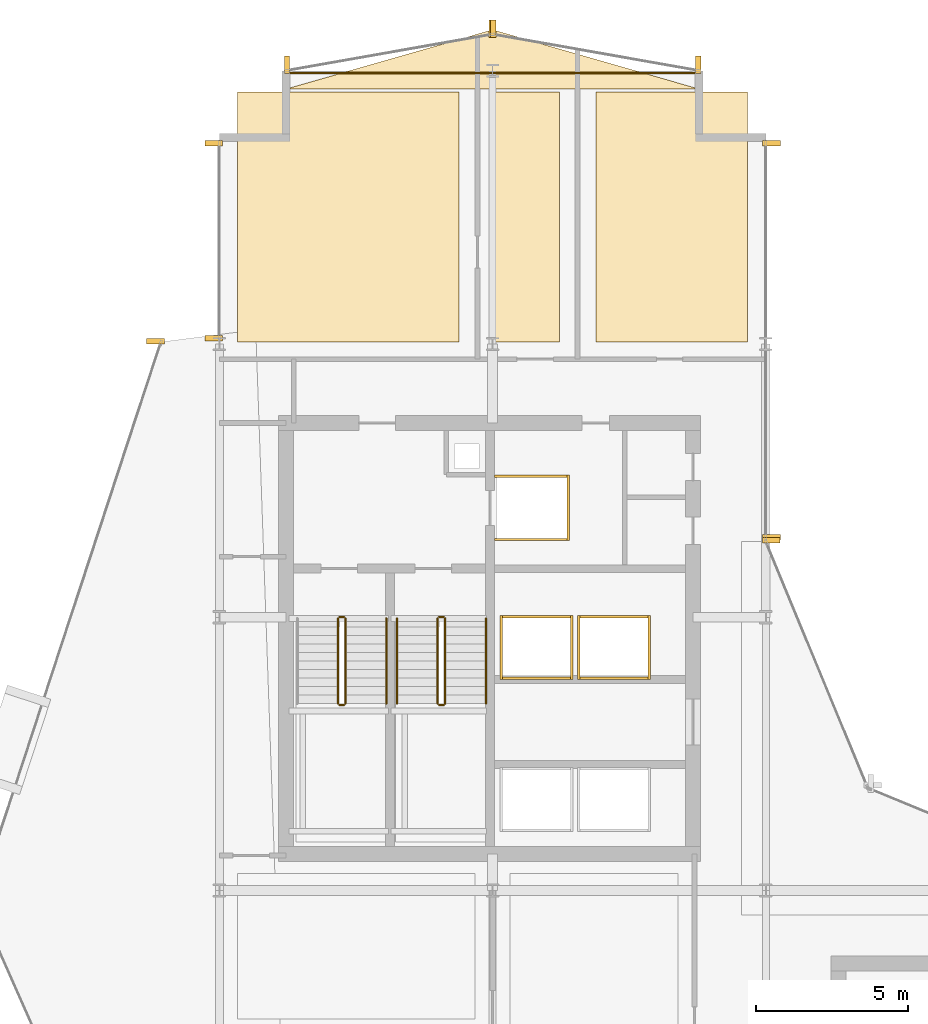
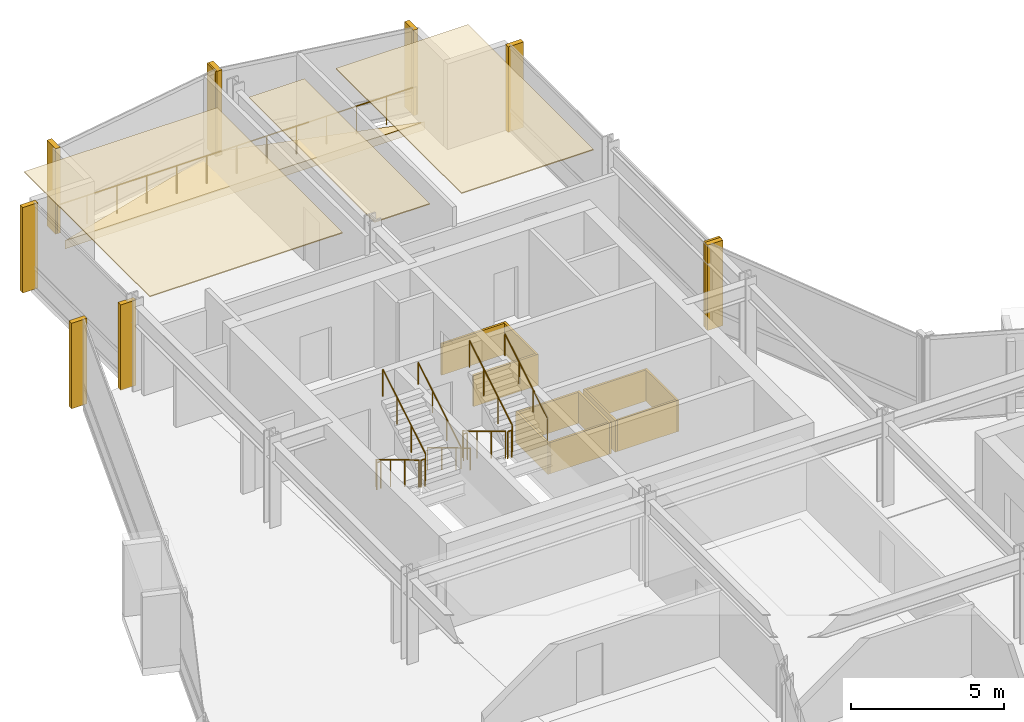
# One storey, part 29 of 29: 25 coverings, 12 railings.
"""IFC4 building model written with IfcOpenShell, lengths in metres."""

from ifc_helpers import new_model, si_unit, direction, frame, origin, origin_2d, place, context, subcontext, project, spatial, polyline, rectangle, circle, outline, extrude, material, layer, layer_set, type_object, element, save


model = new_model("IFC4")

# Units and contexts
model_context = context("Model", 3, precision=1e-05, world=origin(), true_north=direction((0.0, 1.0)))
body_context = subcontext(model_context, "Body", "Model", "MODEL_VIEW")
ifc_project = project(units=[si_unit("LENGTHUNIT", "METRE"), si_unit("AREAUNIT", "SQUARE_METRE"), si_unit("VOLUMEUNIT", "CUBIC_METRE"), si_unit("PLANEANGLEUNIT", "RADIAN"), si_unit("MASSUNIT", "GRAM", prefix="KILO")], contexts=[model_context])

# Site, building, storey
site_placement = place(None, origin())
site = spatial("IfcSite", under=ifc_project, at=site_placement, CompositionType="ELEMENT")
building_placement = place(site_placement, origin())
building = spatial("IfcBuilding", under=site, at=building_placement, Name="Solvaryn Broadcast Tower", CompositionType="ELEMENT")
storey_placement = place(building_placement, frame((0.0, 0.0, 139.60009765625)))
storey = spatial("IfcBuildingStorey", under=building, at=storey_placement, Name="L34", CompositionType="ELEMENT", Elevation=139.60009765625)

# Coverings
ifc_material_1 = material(Name="Micro-Perforated Acoustic Gypsum Ceiling", Category="concrete")
ifc_layer_1 = layer(ifc_material_1, 0.0400390625)
ifc_layer_set_1 = layer_set([ifc_layer_1], Name="CV-CEIL-ACOUSTIC")
covering_type_1 = type_object("IfcCoveringType", Name="CV-CEIL-ACOUSTIC", PredefinedType="CEILING", material=ifc_layer_set_1)
covering_1_placement = place(storey_placement, frame((0.0, 0.0, 3.3798828125)))
element("IfcCovering", 1, at=covering_1_placement, inside=storey, type_object=covering_type_1, Name="L34 Room Acoustic Ceiling 6", PredefinedType="CEILING", context=body_context, shape_type="SweptSolid", body=[
    extrude(outline(polyline([(9.60009765625, 45.070068359375), (16.89990234375, 45.070068359375), (16.89990234375, 53.300048828125), (9.60009765625, 53.300048828125), (9.60009765625, 45.070068359375)])), origin(), (0.0, 0.0, 1.0), 0.0400390625),
])
covering_2_placement = place(storey_placement, frame((0.0, 0.0, 3.3798828125)))
element("IfcCovering", 2, at=covering_2_placement, inside=storey, type_object=covering_type_1, Name="L34 Room Acoustic Ceiling 7", PredefinedType="CEILING", context=body_context, shape_type="SweptSolid", body=[
    extrude(outline(polyline([(18.10009765625, 45.070068359375), (20.199951171875, 45.070068359375), (20.199951171875, 53.300048828125), (18.10009765625, 53.300048828125), (18.10009765625, 45.070068359375)])), origin(), (0.0, 0.0, 1.0), 0.0400390625),
])
covering_3_placement = place(storey_placement, frame((0.0, 0.0, 3.3798828125)))
element("IfcCovering", 3, at=covering_3_placement, inside=storey, type_object=covering_type_1, Name="L34 Room Acoustic Ceiling 8", PredefinedType="CEILING", context=body_context, shape_type="SweptSolid", body=[
    extrude(outline(polyline([(21.39990234375, 45.070068359375), (26.39990234375, 45.070068359375), (26.39990234375, 53.300048828125), (21.39990234375, 53.300048828125), (21.39990234375, 45.070068359375)])), origin(), (0.0, 0.0, 1.0), 0.0400390625),
])
ifc_material_2 = material(Name="Fire-Rated Gypsum Shaftwall Liner", Category="concrete")
ifc_layer_2 = layer(ifc_material_2, 0.080078125)
ifc_layer_set_2 = layer_set([ifc_layer_2], Name="CV-SHAFT-LINER")
covering_type_2 = type_object("IfcCoveringType", Name="CV-SHAFT-LINER", PredefinedType="CLADDING", material=ifc_layer_set_2)
for number, where, z_axis, x_axis, name in (
    (4, (19.300048828125, 40.639892578125, 0.0), (0.0, 0.0, 1.0), (1.0, 0.0, 0.0), "L34 FL1 Hoistway Shaft Liner North"),
    (5, (19.300048828125, 38.56005859375, 0.0), (0.0, 0.0, 1.0), (1.0, 0.0, 0.0), "L34 FL1 Hoistway Shaft Liner South"),
):
    element("IfcCovering", number, at=place(storey_placement, frame(where, z_axis=z_axis, x_axis=x_axis)), inside=storey, type_object=covering_type_2, Name=name, PredefinedType="CLADDING", context=body_context, shape_type="SweptSolid", body=[
        extrude(rectangle(XDim=2.4599609375, YDim=0.080078125, at=origin_2d()), origin(), (0.0, 0.0, 1.0), 1.25),
    ])
covering_4_placement = place(storey_placement, frame((20.489990234375, 39.60009765625, 0.0), z_axis=(0.0, 0.0, 1.0), x_axis=(1.0, 0.0, 0.0)))
element("IfcCovering", 6, at=covering_4_placement, inside=storey, type_object=covering_type_2, Name="L34 FL1 Hoistway Shaft Liner East", PredefinedType="CLADDING", context=body_context, shape_type="SweptSolid", body=[
    extrude(rectangle(XDim=0.080078125, YDim=2.159912109375, at=origin_2d()), origin(), (0.0, 0.0, 1.0), 1.25),
])
for number, where, z_axis, x_axis, name in (
    (7, (19.449951171875, 36.014892578125, 0.0), (0.0, 0.0, 1.0), (1.0, 0.0, 0.0), "L34 PH3 Hoistway Shaft Liner North"),
    (8, (19.449951171875, 33.985107421875, 0.0), (0.0, 0.0, 1.0), (1.0, 0.0, 0.0), "L34 PH3 Hoistway Shaft Liner South"),
):
    element("IfcCovering", number, at=place(storey_placement, frame(where, z_axis=z_axis, x_axis=x_axis)), inside=storey, type_object=covering_type_2, Name=name, PredefinedType="CLADDING", context=body_context, shape_type="SweptSolid", body=[
        extrude(rectangle(XDim=2.409912109375, YDim=0.080078125, at=origin_2d()), origin(), (0.0, 0.0, 1.0), 1.25),
    ])
for number, where, z_axis, x_axis, name in (
    (9, (20.614990234375, 35.0, 0.0), (0.0, 0.0, 1.0), (1.0, 0.0, 0.0), "L34 PH3 Hoistway Shaft Liner East"),
    (10, (18.284912109375, 35.0, 0.0), (0.0, 0.0, 1.0), (1.0, 0.0, 0.0), "L34 PH3 Hoistway Shaft Liner West"),
):
    element("IfcCovering", number, at=place(storey_placement, frame(where, z_axis=z_axis, x_axis=x_axis)), inside=storey, type_object=covering_type_2, Name=name, PredefinedType="CLADDING", context=body_context, shape_type="SweptSolid", body=[
        extrude(rectangle(XDim=0.080078125, YDim=2.110107421875, at=origin_2d()), origin(), (0.0, 0.0, 1.0), 1.25),
    ])
for number, where, z_axis, x_axis, name in (
    (11, (22.0, 36.014892578125, 0.0), (0.0, 0.0, 1.0), (1.0, 0.0, 0.0), "L34 PH4 Hoistway Shaft Liner North"),
    (12, (22.0, 33.985107421875, 0.0), (0.0, 0.0, 1.0), (1.0, 0.0, 0.0), "L34 PH4 Hoistway Shaft Liner South"),
):
    element("IfcCovering", number, at=place(storey_placement, frame(where, z_axis=z_axis, x_axis=x_axis)), inside=storey, type_object=covering_type_2, Name=name, PredefinedType="CLADDING", context=body_context, shape_type="SweptSolid", body=[
        extrude(rectangle(XDim=2.409912109375, YDim=0.080078125, at=origin_2d()), origin(), (0.0, 0.0, 1.0), 1.25),
    ])
for number, where, z_axis, x_axis, name in (
    (13, (23.1650390625, 35.0, 0.0), (0.0, 0.0, 1.0), (1.0, 0.0, 0.0), "L34 PH4 Hoistway Shaft Liner East"),
    (14, (20.8349609375, 35.0, 0.0), (0.0, 0.0, 1.0), (1.0, 0.0, 0.0), "L34 PH4 Hoistway Shaft Liner West"),
):
    element("IfcCovering", number, at=place(storey_placement, frame(where, z_axis=z_axis, x_axis=x_axis)), inside=storey, type_object=covering_type_2, Name=name, PredefinedType="CLADDING", context=body_context, shape_type="SweptSolid", body=[
        extrude(rectangle(XDim=0.080078125, YDim=2.110107421875, at=origin_2d()), origin(), (0.0, 0.0, 1.0), 1.25),
    ])
ifc_material_3 = material(Name="Extruded Architectural Terracotta Fin", Category="masonry")
ifc_layer_3 = layer(ifc_material_3, 0.179931640625)
ifc_layer_set_3 = layer_set([ifc_layer_3], Name="CV-TC-FIN")
covering_type_3 = type_object("IfcCoveringType", Name="CV-TC-FIN", PredefinedType="USERDEFINED", material=ifc_layer_set_3)
for number, where, z_axis, x_axis, name in (
    (15, (6.898681640625, 45.0947265625, 0.0), (0.0, 0.0, 1.0), (1.0, 0.0, 0.0), "L34 Terracotta Vertical Fin FIN-L34-DR1-M00"),
    (16, (8.8125, 45.197021484375, 0.0), (0.0, 0.0, 1.0), (1.0, 0.0, 0.0), "L34 Terracotta Vertical Fin FIN-L34-W2-M00"),
    (17, (8.8125, 51.6201171875, 0.0), (0.0, 0.0, 1.0), (1.0, 0.0, 0.0), "L34 Terracotta Vertical Fin FIN-L34-W2-M01"),
    (18, (27.1875, 51.6201171875, 0.0), (0.0, 0.0, 1.0), (1.0, 0.0, 0.0), "L34 Terracotta Vertical Fin FIN-L34-IV-M00"),
    (19, (27.1875, 38.6298828125, 0.0), (0.0, 0.0, 1.0), (1.0, 0.0, 0.0), "L34 Terracotta Vertical Fin FIN-L34-IV-M01"),
    (20, (27.177978515625, 38.541259765625, 0.0), (0.0, 0.0, 1.0), (1.0, 0.0, 0.0), "L34 Terracotta Vertical Fin FIN-L34-CN2-M01"),
):
    element("IfcCovering", number, at=place(storey_placement, frame(where, z_axis=z_axis, x_axis=x_axis)), inside=storey, type_object=covering_type_3, Name=name, ObjectType="FIN", PredefinedType="USERDEFINED", context=body_context, shape_type="SweptSolid", body=[
        extrude(rectangle(XDim=0.580078125, YDim=0.179931640625, at=origin_2d()), origin(), (0.0, 0.0, 1.0), 3.419921875),
    ])
for number, where, z_axis, x_axis, name in (
    (21, (24.7705078125, 54.192626953125, 0.0), (0.0, 0.0, 1.0), (1.0, 0.0, 0.0), "L34 Terracotta Vertical Fin FIN-L34-NT1-M00"),
    (22, (18.029541015625, 55.38232421875, 0.0), (0.0, 0.0, 1.0), (1.0, 0.0, 0.0), "L34 Terracotta Vertical Fin FIN-L34-NT1-M01"),
    (23, (17.970458984375, 55.38232421875, 0.0), (0.0, 0.0, 1.0), (1.0, 0.0, 0.0), "L34 Terracotta Vertical Fin FIN-L34-NT2-M00"),
    (24, (11.2294921875, 54.192626953125, 0.0), (0.0, 0.0, 1.0), (1.0, 0.0, 0.0), "L34 Terracotta Vertical Fin FIN-L34-NT2-M01"),
):
    element("IfcCovering", number, at=place(storey_placement, frame(where, z_axis=z_axis, x_axis=x_axis)), inside=storey, type_object=covering_type_3, Name=name, ObjectType="FIN", PredefinedType="USERDEFINED", context=body_context, shape_type="SweptSolid", body=[
        extrude(rectangle(XDim=0.179931640625, YDim=0.580078125, at=origin_2d()), origin(), (0.0, 0.0, 1.0), 3.419921875),
    ])
ifc_material_4 = material(Name="Sculpted Architectural Terracotta Wave Fascia", Category="masonry")
ifc_layer_4 = layer(ifc_material_4, 0.340087890625)
ifc_layer_set_4 = layer_set([ifc_layer_4], Name="CV-WAVE-TRAY")
covering_type_4 = type_object("IfcCoveringType", Name="CV-WAVE-TRAY", PredefinedType="CLADDING", material=ifc_layer_set_4)
covering_5_placement = place(storey_placement, frame((0.0, 0.0, -0.300048828125)))
element("IfcCovering", 25, at=covering_5_placement, inside=storey, type_object=covering_type_4, Name="L34 North Curved Wing Deck", PredefinedType="CLADDING", context=body_context, shape_type="SweptSolid", body=[
    extrude(outline(polyline([(11.199951171875, 53.39990234375), (24.800048828125, 53.39990234375), (18.0, 55.35009765625), (11.199951171875, 53.39990234375)])), origin(), (0.0, 0.0, 1.0), 0.329833984375),
])

# Railings
ifc_material_5 = material(Name="Painted Steel Stair Well Guard", Category="steel")
railing_type_1 = type_object("IfcRailingType", Name="RL-STAIR-GUARD", PredefinedType="BALUSTRADE", material=ifc_material_5)
railing_1_placement = place(storey_placement, frame((12.909912109375, 35.9599609375, 0.16796875)))
element("IfcRailing", 26, at=railing_1_placement, inside=storey, type_object=railing_type_1, Name="L34 ST1 stair guard 1", PredefinedType="BALUSTRADE", context=body_context, shape_type="SweptSolid", body=[
    extrude(circle(Radius=0.02392578125, at=origin_2d()), frame((0.0, 0.0, 1.076171875), z_axis=(0.0, -0.857242210791, 0.514913383045), x_axis=(1.0, 0.0, 0.0)), (0.0, 0.0, 1.0), 3.266357421875),
    extrude(circle(Radius=0.02099609375, at=origin_2d()), origin(), (0.0, 0.0, 1.0), 1.052001953125),
    extrude(circle(Radius=0.02099609375, at=origin_2d()), frame((0.0, -0.933349609375, 0.560546875)), (0.0, 0.0, 1.0), 1.052001953125),
    extrude(circle(Radius=0.02099609375, at=origin_2d()), frame((0.0, -1.86669921875, 1.121337890625)), (0.0, 0.0, 1.0), 1.052001953125),
    extrude(circle(Radius=0.02099609375, at=origin_2d()), frame((0.0, -2.800048828125, 1.681884765625)), (0.0, 0.0, 1.0), 1.052001953125),
])
railing_2_placement = place(storey_placement, frame((12.9599609375, 33.110107421875, 1.849853515625)))
element("IfcRailing", 27, at=railing_2_placement, inside=storey, type_object=railing_type_1, Name="L34 ST1 stair guard 2", PredefinedType="BALUSTRADE", context=body_context, shape_type="SweptSolid", body=[
    extrude(circle(Radius=0.02392578125, at=origin_2d()), frame((0.0, 0.0, 1.076171875), z_axis=(1.0, 0.0, 0.0), x_axis=(0.0, 1.0, 0.0)), (0.0, 0.0, 1.0), 0.150146484375),
    extrude(circle(Radius=0.02099609375, at=origin_2d()), origin(), (0.0, 0.0, 1.0), 1.052001953125),
    extrude(circle(Radius=0.02099609375, at=origin_2d()), frame((0.150146484375, 0.0, 0.0)), (0.0, 0.0, 1.0), 1.052001953125),
])
railing_3_placement = place(storey_placement, frame((13.159912109375, 33.159912109375, 2.01806640625)))
element("IfcRailing", 28, at=railing_3_placement, inside=storey, type_object=railing_type_1, Name="L34 ST1 stair guard 3", PredefinedType="BALUSTRADE", context=body_context, shape_type="SweptSolid", body=[
    extrude(circle(Radius=0.02392578125, at=origin_2d()), frame((0.0, 0.0, 1.076171875), z_axis=(0.0, 0.857242210791, 0.514913383045), x_axis=(-1.0, 0.0, 0.0)), (0.0, 0.0, 1.0), 3.266357421875),
    extrude(circle(Radius=0.02099609375, at=origin_2d()), origin(), (0.0, 0.0, 1.0), 1.052001953125),
    extrude(circle(Radius=0.02099609375, at=origin_2d()), frame((0.0, 0.933349609375, 0.560546875)), (0.0, 0.0, 1.0), 1.052001953125),
    extrude(circle(Radius=0.02099609375, at=origin_2d()), frame((0.0, 1.86669921875, 1.121337890625)), (0.0, 0.0, 1.0), 1.052001953125),
    extrude(circle(Radius=0.02099609375, at=origin_2d()), frame((0.0, 2.800048828125, 1.681884765625)), (0.0, 0.0, 1.0), 1.052001953125),
])
railing_4_placement = place(storey_placement, frame((12.9599609375, 36.010009765625, 0.0)))
element("IfcRailing", 29, at=railing_4_placement, inside=storey, type_object=railing_type_1, Name="L34 ST1 stair guard 4", PredefinedType="BALUSTRADE", context=body_context, shape_type="SweptSolid", body=[
    extrude(circle(Radius=0.02392578125, at=origin_2d()), frame((0.0, 0.0, 1.076171875), z_axis=(1.0, 0.0, 0.0), x_axis=(0.0, 1.0, 0.0)), (0.0, 0.0, 1.0), 0.150146484375),
    extrude(circle(Radius=0.02099609375, at=origin_2d()), origin(), (0.0, 0.0, 1.0), 1.052001953125),
    extrude(circle(Radius=0.02099609375, at=origin_2d()), frame((0.150146484375, 0.0, 0.0)), (0.0, 0.0, 1.0), 1.052001953125),
])
railing_5_placement = place(storey_placement, frame((16.18994140625, 35.9599609375, 0.16796875)))
element("IfcRailing", 30, at=railing_5_placement, inside=storey, type_object=railing_type_1, Name="L34 ST2 stair guard 1", PredefinedType="BALUSTRADE", context=body_context, shape_type="SweptSolid", body=[
    extrude(circle(Radius=0.02392578125, at=origin_2d()), frame((0.0, 0.0, 1.076171875), z_axis=(0.0, -0.857242210791, 0.514913383045), x_axis=(1.0, 0.0, 0.0)), (0.0, 0.0, 1.0), 3.266357421875),
    extrude(circle(Radius=0.02099609375, at=origin_2d()), origin(), (0.0, 0.0, 1.0), 1.052001953125),
    extrude(circle(Radius=0.02099609375, at=origin_2d()), frame((0.0, -0.933349609375, 0.560546875)), (0.0, 0.0, 1.0), 1.052001953125),
    extrude(circle(Radius=0.02099609375, at=origin_2d()), frame((0.0, -1.86669921875, 1.121337890625)), (0.0, 0.0, 1.0), 1.052001953125),
    extrude(circle(Radius=0.02099609375, at=origin_2d()), frame((0.0, -2.800048828125, 1.681884765625)), (0.0, 0.0, 1.0), 1.052001953125),
])
railing_6_placement = place(storey_placement, frame((16.239990234375, 33.110107421875, 1.849853515625)))
element("IfcRailing", 31, at=railing_6_placement, inside=storey, type_object=railing_type_1, Name="L34 ST2 stair guard 2", PredefinedType="BALUSTRADE", context=body_context, shape_type="SweptSolid", body=[
    extrude(circle(Radius=0.02392578125, at=origin_2d()), frame((0.0, 0.0, 1.076171875), z_axis=(1.0, 0.0, 0.0), x_axis=(0.0, 1.0, 0.0)), (0.0, 0.0, 1.0), 0.14990234375),
    extrude(circle(Radius=0.02099609375, at=origin_2d()), origin(), (0.0, 0.0, 1.0), 1.052001953125),
    extrude(circle(Radius=0.02099609375, at=origin_2d()), frame((0.14990234375, 0.0, 0.0)), (0.0, 0.0, 1.0), 1.052001953125),
])
railing_7_placement = place(storey_placement, frame((16.43994140625, 33.159912109375, 2.01806640625)))
element("IfcRailing", 32, at=railing_7_placement, inside=storey, type_object=railing_type_1, Name="L34 ST2 stair guard 3", PredefinedType="BALUSTRADE", context=body_context, shape_type="SweptSolid", body=[
    extrude(circle(Radius=0.02392578125, at=origin_2d()), frame((0.0, 0.0, 1.076171875), z_axis=(0.0, 0.857242210791, 0.514913383045), x_axis=(-1.0, 0.0, 0.0)), (0.0, 0.0, 1.0), 3.266357421875),
    extrude(circle(Radius=0.02099609375, at=origin_2d()), origin(), (0.0, 0.0, 1.0), 1.052001953125),
    extrude(circle(Radius=0.02099609375, at=origin_2d()), frame((0.0, 0.933349609375, 0.560546875)), (0.0, 0.0, 1.0), 1.052001953125),
    extrude(circle(Radius=0.02099609375, at=origin_2d()), frame((0.0, 1.86669921875, 1.121337890625)), (0.0, 0.0, 1.0), 1.052001953125),
    extrude(circle(Radius=0.02099609375, at=origin_2d()), frame((0.0, 2.800048828125, 1.681884765625)), (0.0, 0.0, 1.0), 1.052001953125),
])
railing_8_placement = place(storey_placement, frame((16.239990234375, 36.010009765625, 0.0)))
element("IfcRailing", 33, at=railing_8_placement, inside=storey, type_object=railing_type_1, Name="L34 ST2 stair guard 4", PredefinedType="BALUSTRADE", context=body_context, shape_type="SweptSolid", body=[
    extrude(circle(Radius=0.02392578125, at=origin_2d()), frame((0.0, 0.0, 1.076171875), z_axis=(1.0, 0.0, 0.0), x_axis=(0.0, 1.0, 0.0)), (0.0, 0.0, 1.0), 0.14990234375),
    extrude(circle(Radius=0.02099609375, at=origin_2d()), origin(), (0.0, 0.0, 1.0), 1.052001953125),
    extrude(circle(Radius=0.02099609375, at=origin_2d()), frame((0.14990234375, 0.0, 0.0)), (0.0, 0.0, 1.0), 1.052001953125),
])
ifc_material_6 = material(Name="Brushed Stainless Steel Tubular Handrail", Category="steel")
railing_type_2 = type_object("IfcRailingType", Name="RL-STAIR-HANDRAIL", PredefinedType="HANDRAIL", material=ifc_material_6)
railing_9_placement = place(storey_placement, frame((14.5, 33.159912109375, 2.01806640625)))
element("IfcRailing", 34, at=railing_9_placement, inside=storey, type_object=railing_type_2, Name="L34 ST1 stair handrail 2", PredefinedType="HANDRAIL", context=body_context, shape_type="SweptSolid", body=[
    extrude(circle(Radius=0.02392578125, at=origin_2d()), frame((0.0, 0.0, 0.8759765625), z_axis=(0.0, 0.857242210791, 0.514913383045), x_axis=(-1.0, 0.0, 0.0)), (0.0, 0.0, 1.0), 3.266357421875),
    extrude(circle(Radius=0.02099609375, at=origin_2d()), origin(), (0.0, 0.0, 1.0), 0.851806640625),
    extrude(circle(Radius=0.02099609375, at=origin_2d()), frame((0.0, 0.933349609375, 0.560546875)), (0.0, 0.0, 1.0), 0.851806640625),
    extrude(circle(Radius=0.02099609375, at=origin_2d()), frame((0.0, 1.86669921875, 1.121337890625)), (0.0, 0.0, 1.0), 0.851806640625),
    extrude(circle(Radius=0.02099609375, at=origin_2d()), frame((0.0, 2.800048828125, 1.681884765625)), (0.0, 0.0, 1.0), 0.851806640625),
])
railing_10_placement = place(storey_placement, frame((14.85009765625, 35.9599609375, 0.16796875)))
element("IfcRailing", 35, at=railing_10_placement, inside=storey, type_object=railing_type_2, Name="L34 ST2 stair handrail 1", PredefinedType="HANDRAIL", context=body_context, shape_type="SweptSolid", body=[
    extrude(circle(Radius=0.02392578125, at=origin_2d()), frame((0.0, 0.0, 0.8759765625), z_axis=(0.0, -0.857242210791, 0.514913383045), x_axis=(1.0, 0.0, 0.0)), (0.0, 0.0, 1.0), 3.266357421875),
    extrude(circle(Radius=0.02099609375, at=origin_2d()), origin(), (0.0, 0.0, 1.0), 0.851806640625),
    extrude(circle(Radius=0.02099609375, at=origin_2d()), frame((0.0, -0.933349609375, 0.560546875)), (0.0, 0.0, 1.0), 0.851806640625),
    extrude(circle(Radius=0.02099609375, at=origin_2d()), frame((0.0, -1.86669921875, 1.121337890625)), (0.0, 0.0, 1.0), 0.851806640625),
    extrude(circle(Radius=0.02099609375, at=origin_2d()), frame((0.0, -2.800048828125, 1.681884765625)), (0.0, 0.0, 1.0), 0.851806640625),
])
railing_11_placement = place(storey_placement, frame((17.780029296875, 33.159912109375, 2.01806640625)))
element("IfcRailing", 36, at=railing_11_placement, inside=storey, type_object=railing_type_2, Name="L34 ST2 stair handrail 2", PredefinedType="HANDRAIL", context=body_context, shape_type="SweptSolid", body=[
    extrude(circle(Radius=0.02392578125, at=origin_2d()), frame((0.0, 0.0, 0.8759765625), z_axis=(0.0, 0.857242210791, 0.514913383045), x_axis=(-1.0, 0.0, 0.0)), (0.0, 0.0, 1.0), 3.266357421875),
    extrude(circle(Radius=0.02099609375, at=origin_2d()), origin(), (0.0, 0.0, 1.0), 0.851806640625),
    extrude(circle(Radius=0.02099609375, at=origin_2d()), frame((0.0, 0.933349609375, 0.560546875)), (0.0, 0.0, 1.0), 0.851806640625),
    extrude(circle(Radius=0.02099609375, at=origin_2d()), frame((0.0, 1.86669921875, 1.121337890625)), (0.0, 0.0, 1.0), 0.851806640625),
    extrude(circle(Radius=0.02099609375, at=origin_2d()), frame((0.0, 2.800048828125, 1.681884765625)), (0.0, 0.0, 1.0), 0.851806640625),
])
ifc_material_7 = material(Name="Stainless Steel and Laminated Glass Guard", Category="steel")
railing_type_3 = type_object("IfcRailingType", Name="RL-TER-1150", PredefinedType="BALUSTRADE", material=ifc_material_7)
railing_12_placement = place(storey_placement, frame((11.199951171875, 53.919921875, 0.0)))
element("IfcRailing", 37, at=railing_12_placement, inside=storey, type_object=railing_type_3, Name="L34 North Wing Spandrel Edge Guard", PredefinedType="BALUSTRADE", context=body_context, shape_type="SweptSolid", body=[
    extrude(circle(Radius=0.02392578125, at=origin_2d()), frame((0.0, 0.0, 1.1259765625), z_axis=(1.0, 0.0, 0.0), x_axis=(0.0, 1.0, 0.0)), (0.0, 0.0, 1.0), 13.60009765625),
    extrude(circle(Radius=0.02099609375, at=origin_2d()), origin(), (0.0, 0.0, 1.0), 1.101806640625),
    extrude(circle(Radius=0.02099609375, at=origin_2d()), frame((1.13330078125, 0.0, 0.0)), (0.0, 0.0, 1.0), 1.101806640625),
    extrude(circle(Radius=0.02099609375, at=origin_2d()), frame((2.2666015625, 0.0, 0.0)), (0.0, 0.0, 1.0), 1.101806640625),
    extrude(circle(Radius=0.02099609375, at=origin_2d()), frame((3.39990234375, 0.0, 0.0)), (0.0, 0.0, 1.0), 1.101806640625),
    extrude(circle(Radius=0.02099609375, at=origin_2d()), frame((4.533447265625, 0.0, 0.0)), (0.0, 0.0, 1.0), 1.101806640625),
    extrude(circle(Radius=0.02099609375, at=origin_2d()), frame((5.666748046875, 0.0, 0.0)), (0.0, 0.0, 1.0), 1.101806640625),
    extrude(circle(Radius=0.02099609375, at=origin_2d()), frame((6.800048828125, 0.0, 0.0)), (0.0, 0.0, 1.0), 1.101806640625),
    extrude(circle(Radius=0.02099609375, at=origin_2d()), frame((7.933349609375, 0.0, 0.0)), (0.0, 0.0, 1.0), 1.101806640625),
    extrude(circle(Radius=0.02099609375, at=origin_2d()), frame((9.066650390625, 0.0, 0.0)), (0.0, 0.0, 1.0), 1.101806640625),
    extrude(circle(Radius=0.02099609375, at=origin_2d()), frame((10.2001953125, 0.0, 0.0)), (0.0, 0.0, 1.0), 1.101806640625),
    extrude(circle(Radius=0.02099609375, at=origin_2d()), frame((11.33349609375, 0.0, 0.0)), (0.0, 0.0, 1.0), 1.101806640625),
    extrude(circle(Radius=0.02099609375, at=origin_2d()), frame((12.466796875, 0.0, 0.0)), (0.0, 0.0, 1.0), 1.101806640625),
    extrude(circle(Radius=0.02099609375, at=origin_2d()), frame((13.60009765625, 0.0, 0.0)), (0.0, 0.0, 1.0), 1.101806640625),
])

save(model, "model.ifc")
